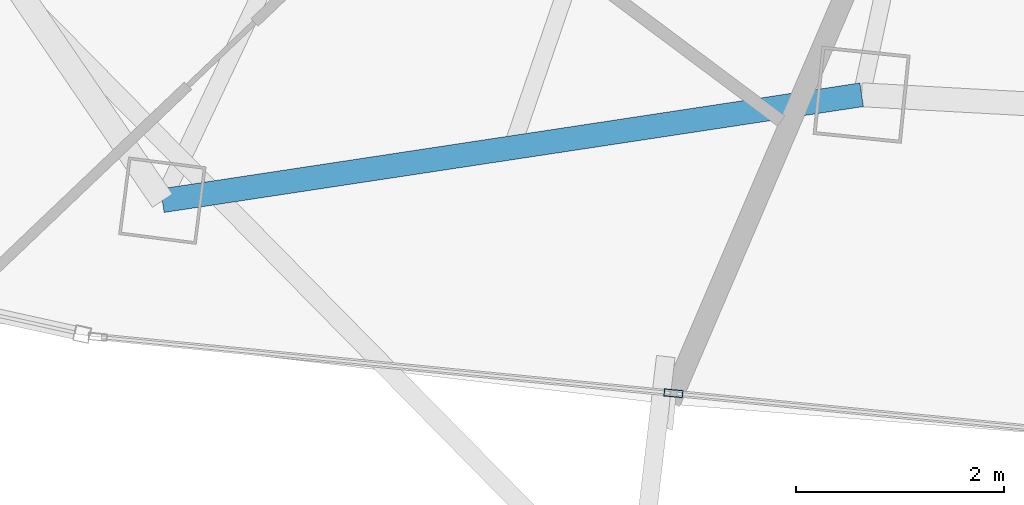
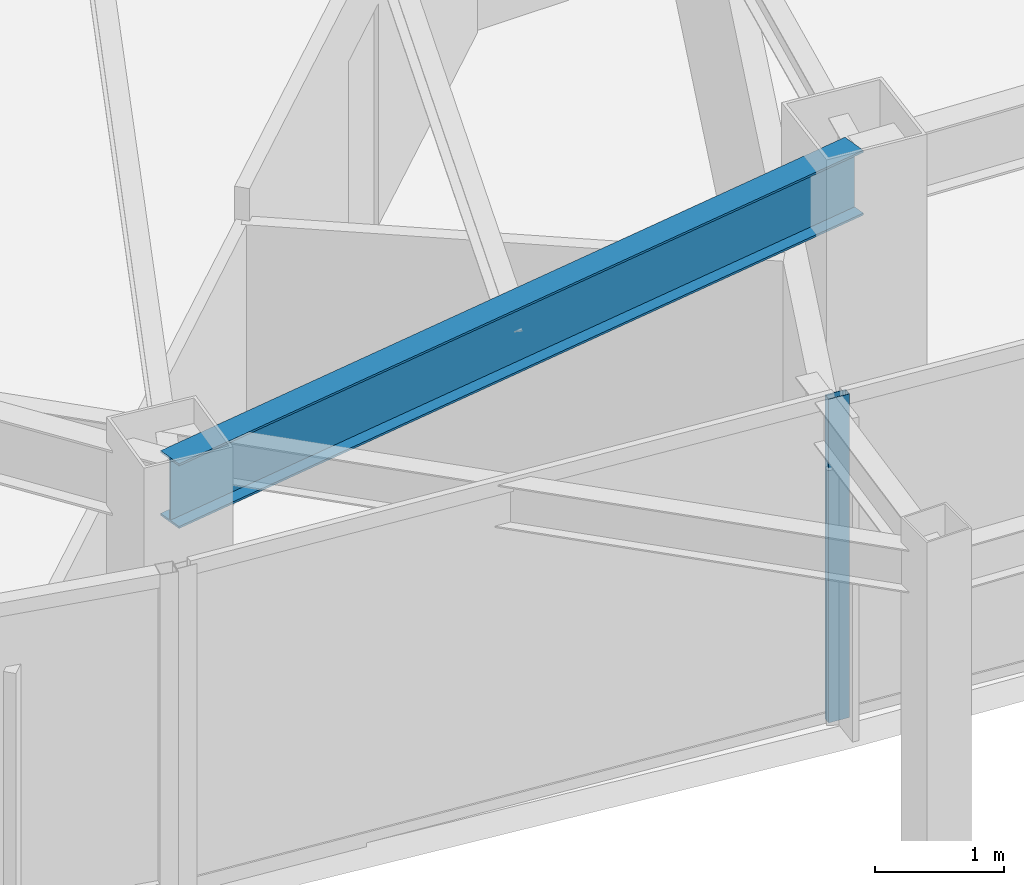
# One storey, part 4 of 29: 1 beam, 1 member, 1 element without a shape of its own.
"""IFC4 building model written with IfcOpenShell, lengths in metres."""

from ifc_helpers import new_model, si_unit, direction, frame, origin, origin_2d, place, context, subcontext, project, spatial, hollow_rectangle, i_section, extrude, material, layer, layer_set, material_profile, profile_set, type_object, element, aggregate, save


model = new_model("IFC4")

# Units and contexts
model_context = context("Model", 3, precision=1e-05, world=origin(), true_north=direction((0.0, 1.0)))
body_context = subcontext(model_context, "Body", "Model", "MODEL_VIEW")
ifc_project = project(units=[si_unit("LENGTHUNIT", "METRE"), si_unit("AREAUNIT", "SQUARE_METRE"), si_unit("VOLUMEUNIT", "CUBIC_METRE"), si_unit("PLANEANGLEUNIT", "RADIAN"), si_unit("MASSUNIT", "GRAM", prefix="KILO")], contexts=[model_context])

# Site, building, storey
site_placement = place(None, origin())
site = spatial("IfcSite", under=ifc_project, at=site_placement, CompositionType="ELEMENT")
building_placement = place(site_placement, origin())
building = spatial("IfcBuilding", under=site, at=building_placement, Name="Orvanel Arch Residences", CompositionType="ELEMENT")
storey_placement = place(building_placement, frame((0.0, 0.0, 173.75)))
storey = spatial("IfcBuildingStorey", under=building, at=storey_placement, Name="L49", CompositionType="ELEMENT", Elevation=173.75)

# Curtain wall, member
ifc_material_1 = material(Name="Bronze-anodised aluminium AA6063-T6", Category="aluminium")
ifc_layer = layer(ifc_material_1, 0.179931640625)
ifc_layer_set = layer_set([ifc_layer], Name="Bronze-anodised aluminium AA6063-T6")
curtain_wall_type = type_object("IfcCurtainWallType", Name="CW3-MID-SYS", PredefinedType="NOTDEFINED", material=ifc_layer_set)
curtain_wall_placement = place(storey_placement, origin())
curtain_wall = element("IfcCurtainWall", 1, at=curtain_wall_placement, inside=storey, type_object=curtain_wall_type, Name="L49 CW3-MID-SYS Unitised Curtain Wall", PredefinedType="NOTDEFINED")
ifc_material_profile_1 = material_profile(ifc_material_1, hollow_rectangle(XDim=0.070068359375, YDim=0.179931640625, WallThickness=0.00439453125, at=origin_2d()), Name="ALU180x70x4.5")
ifc_profile_set_1 = profile_set([ifc_material_profile_1], Name="Bronze-anodised aluminium AA6063-T6")
member_type = type_object("IfcMemberType", Name="MUL-180x70", PredefinedType="MULLION", material=ifc_profile_set_1)
member_placement = place(storey_placement, frame((21.843505859375, 4.491455078125, 0.0), z_axis=(0.0, 0.0, 1.0), x_axis=(0.097491445455, 0.995236362912, 0.0)))
member = element("IfcMember", 2, at=member_placement, type_object=member_type, Name="CW-S3 mullion 2", PredefinedType="MULLION", context=body_context, shape_type="SweptSolid", body=[
    extrude(hollow_rectangle(XDim=0.070068359375, YDim=0.179931640625, WallThickness=0.00439453125, at=origin_2d()), origin(), (0.0, 0.0, 1.0), 3.06005859375),
])
aggregate(curtain_wall, [member])

# Beam
ifc_material_2 = material(Name="Structural steel AS/NZS 3679.1 Grade 300 (300 MPa)", Category="steel")
ifc_material_profile_2 = material_profile(ifc_material_2, i_section(OverallWidth=0.22900390625, OverallDepth=0.612060546875, WebThickness=0.011962890625, FlangeThickness=0.01953125, at=origin_2d()), Name="610UB125")
ifc_profile_set_2 = profile_set([ifc_material_profile_2], Name="Structural steel AS/NZS 3679.1 Grade 300 (300 MPa)")
beam_type = type_object("IfcBeamType", Name="SP-610UB", PredefinedType="SPANDREL", material=ifc_profile_set_2)
beam_placement = place(storey_placement, frame((16.94091796875, 6.339111328125, 2.75390625), z_axis=(0.988726323014, 0.149733958002, 0.0), x_axis=(-0.149733958002, 0.988726323014, 0.0)))
element("IfcBeam", 3, at=beam_placement, inside=storey, type_object=beam_type, Name="L49 Perimeter Spandrel Beam 04", PredefinedType="SPANDREL", context=body_context, shape_type="SweptSolid", body=[
    extrude(i_section(OverallWidth=0.22900390625, OverallDepth=0.612060546875, WebThickness=0.011962890625, FlangeThickness=0.01953125, at=origin_2d()), origin(), (0.0, 0.0, 1.0), 6.784423828125),
])

save(model, "model.ifc")
